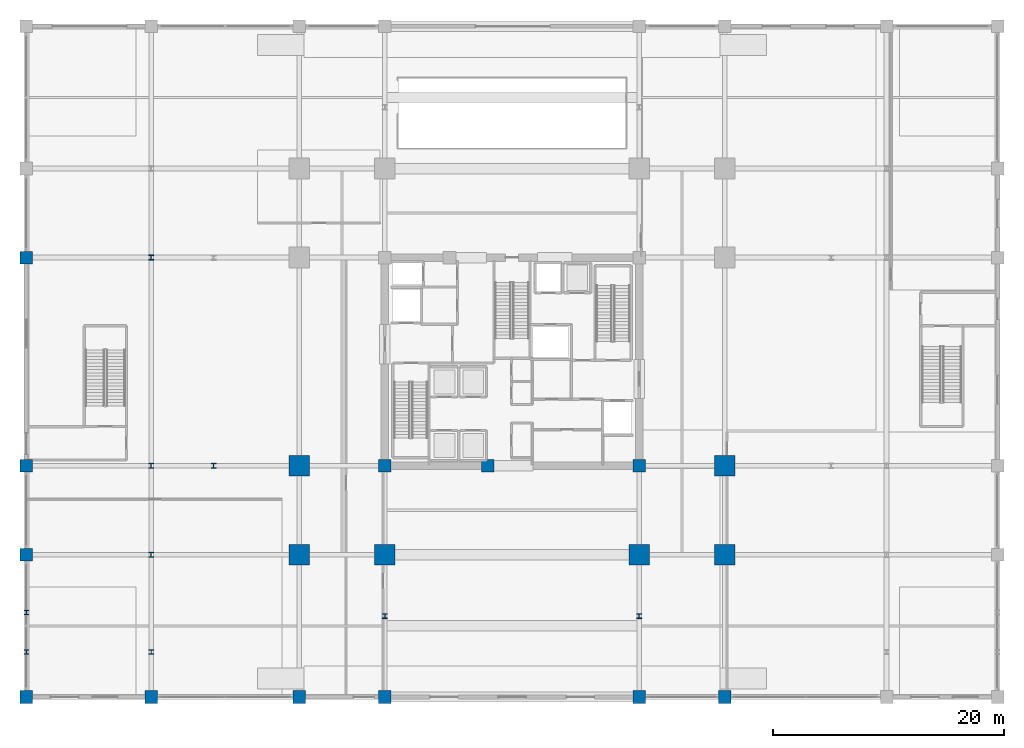
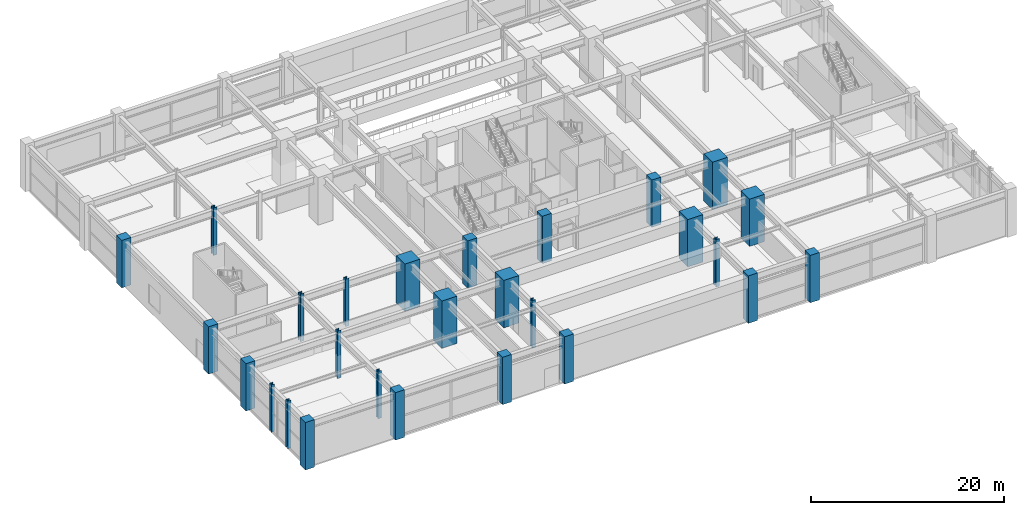
# One storey, part 1 of 41: 27 columns.
"""IFC4 building model written with IfcOpenShell, lengths in metres."""

from ifc_helpers import new_model, si_unit, direction, frame, origin, origin_2d, place, context, subcontext, project, spatial, rectangle, i_section, extrude, material, material_profile, profile_set, type_object, element, save


model = new_model("IFC4")

# Units and contexts
model_context = context("Model", 3, precision=1e-05, world=origin(), true_north=direction((0.0, 1.0)))
body_context = subcontext(model_context, "Body", "Model", "MODEL_VIEW")
ifc_project = project(units=[si_unit("LENGTHUNIT", "METRE"), si_unit("AREAUNIT", "SQUARE_METRE"), si_unit("VOLUMEUNIT", "CUBIC_METRE"), si_unit("PLANEANGLEUNIT", "RADIAN"), si_unit("MASSUNIT", "GRAM", prefix="KILO")], contexts=[model_context])

# Site, building, storey
site_placement = place(None, origin())
site = spatial("IfcSite", under=ifc_project, at=site_placement, CompositionType="ELEMENT")
building_placement = place(site_placement, origin())
building = spatial("IfcBuilding", under=site, at=building_placement, Name="Kovane Verandah Tower", CompositionType="ELEMENT")
storey_placement = place(building_placement, origin())
storey = spatial("IfcBuildingStorey", under=building, at=storey_placement, Name="L00", CompositionType="ELEMENT", Elevation=0.0)

# Columns
ifc_material_1 = material(Name="Concrete C60/75", Category="concrete")
ifc_material_profile_1 = material_profile(ifc_material_1, rectangle(XDim=1.10009765625, YDim=1.10009765625, at=origin_2d()), Name="RC1100x1100")
ifc_profile_set_1 = profile_set([ifc_material_profile_1], Name="Concrete C60/75")
column_type_1 = type_object("IfcColumnType", Name="COL-POD1100", PredefinedType="COLUMN", material=ifc_profile_set_1)
for number, where, z_axis, x_axis, name in (
    (1, (-2.0, -1.5, 0.0), (0.0, 0.0, 1.0), (1.0, 0.0, 0.0), "L00 Podium Column PC-W0"),
    (2, (-2.0, 10.800048828125, 0.0), (0.0, 0.0, 1.0), (1.0, 0.0, 0.0), "L00 Podium Column PC-W1"),
    (3, (-2.0, 18.5, 0.0), (0.0, 0.0, 1.0), (1.0, 0.0, 0.0), "L00 Podium Column PC-W2"),
    (4, (-2.0, 36.5, 0.0), (0.0, 0.0, 1.0), (1.0, 0.0, 0.0), "L00 Podium Column PC-W3"),
    (5, (8.800048828125, -1.5, 0.0), (0.0, 0.0, 1.0), (1.0, 0.0, 0.0), "L00 Podium Column PC-S1"),
    (6, (21.60009765625, -1.5, 0.0), (0.0, 0.0, 1.0), (1.0, 0.0, 0.0), "L00 Podium Column PC-S2"),
    (7, (29.0, -1.5, 0.0), (0.0, 0.0, 1.0), (1.0, 0.0, 0.0), "L00 Podium Column PC-S3"),
    (8, (51.0, -1.5, 0.0), (0.0, 0.0, 1.0), (1.0, 0.0, 0.0), "L00 Podium Column PC-S4"),
    (9, (58.39990234375, -1.5, 0.0), (0.0, 0.0, 1.0), (1.0, 0.0, 0.0), "L00 Podium Column PC-S5"),
):
    element("IfcColumn", number, at=place(storey_placement, frame(where, z_axis=z_axis, x_axis=x_axis)), inside=storey, type_object=column_type_1, Name=name, PredefinedType="COLUMN", context=body_context, shape_type="SweptSolid", body=[
        extrude(rectangle(XDim=1.10009765625, YDim=1.10009765625, at=origin_2d()), origin(), (0.0, 0.0, 1.0), 6.0),
    ])
ifc_material_2 = material(Name="Concrete C80/95", Category="concrete")
ifc_material_profile_2 = material_profile(ifc_material_2, rectangle(XDim=1.800048828125, YDim=1.800048828125, at=origin_2d()), Name="RC1800x1800")
ifc_profile_set_2 = profile_set([ifc_material_profile_2], Name="Concrete C80/95")
column_type_2 = type_object("IfcColumnType", Name="COL-RC1800", PredefinedType="COLUMN", material=ifc_profile_set_2)
for number, where, z_axis, x_axis, name in (
    (10, (29.0, 10.800048828125, 0.0), (0.0, 0.0, 1.0), (1.0, 0.0, 0.0), "L00 Tower Mega-Column MC-S1"),
    (11, (51.0, 10.800048828125, 0.0), (0.0, 0.0, 1.0), (1.0, 0.0, 0.0), "L00 Tower Mega-Column MC-S2"),
    (12, (21.60009765625, 18.5, 0.0), (0.0, 0.0, 1.0), (1.0, 0.0, 0.0), "L00 Tower Mega-Column MC-W1"),
    (13, (58.39990234375, 18.5, 0.0), (0.0, 0.0, 1.0), (1.0, 0.0, 0.0), "L00 Tower Mega-Column MC-E1"),
    (14, (21.60009765625, 10.800048828125, 0.0), (0.0, 0.0, 1.0), (1.0, 0.0, 0.0), "L00 Tower Mega-Column MC-SW"),
    (15, (58.39990234375, 10.800048828125, 0.0), (0.0, 0.0, 1.0), (1.0, 0.0, 0.0), "L00 Tower Mega-Column MC-SE"),
):
    element("IfcColumn", number, at=place(storey_placement, frame(where, z_axis=z_axis, x_axis=x_axis)), inside=storey, type_object=column_type_2, Name=name, PredefinedType="COLUMN", context=body_context, shape_type="SweptSolid", body=[
        extrude(rectangle(XDim=1.800048828125, YDim=1.800048828125, at=origin_2d()), origin(), (0.0, 0.0, 1.0), 6.0),
    ])
ifc_material_3 = material(Name="Steel S460", Category="steel")
ifc_material_profile_3 = material_profile(ifc_material_3, i_section(OverallWidth=0.403076171875, OverallDepth=0.406494140625, WebThickness=0.026611328125, FlangeThickness=0.04296875, FilletRadius=0.01513671875, at=origin_2d()), Name="UC356x406x340")
ifc_profile_set_3 = profile_set([ifc_material_profile_3], Name="Steel S460")
column_type_3 = type_object("IfcColumnType", Name="COL-UC340", PredefinedType="COLUMN", material=ifc_profile_set_3)
for number, where, z_axis, x_axis, name in (
    (16, (-2.0, 2.39990234375, 0.0), (0.0, 0.0, 1.0), (1.0, 0.0, 0.0), "L00 South Terrace Step Column S1-1"),
    (17, (8.800048828125, 2.39990234375, 0.0), (0.0, 0.0, 1.0), (1.0, 0.0, 0.0), "L00 South Terrace Step Column S1-2"),
    (18, (-2.0, 5.800048828125, 0.0), (0.0, 0.0, 1.0), (1.0, 0.0, 0.0), "L00 South Terrace Step Column S2-1"),
):
    element("IfcColumn", number, at=place(storey_placement, frame(where, z_axis=z_axis, x_axis=x_axis)), inside=storey, type_object=column_type_3, Name=name, PredefinedType="COLUMN", context=body_context, shape_type="SweptSolid", body=[
        extrude(i_section(OverallWidth=0.403076171875, OverallDepth=0.406494140625, WebThickness=0.026611328125, FlangeThickness=0.04296875, FilletRadius=0.01513671875, at=origin_2d()), origin(), (0.0, 0.0, 1.0), 6.0),
    ])
ifc_material_profile_4 = material_profile(ifc_material_3, i_section(OverallWidth=0.412109375, OverallDepth=0.4365234375, WebThickness=0.035888671875, FlangeThickness=0.05810546875, FilletRadius=0.01513671875, at=origin_2d()), Name="UC356x406x467")
ifc_profile_set_4 = profile_set([ifc_material_profile_4], Name="Steel S460")
column_type_4 = type_object("IfcColumnType", Name="COL-UC467", PredefinedType="COLUMN", material=ifc_profile_set_4)
for number, where, z_axis, x_axis, name in (
    (19, (14.199951171875, 18.5, 0.0), (0.0, 0.0, 1.0), (1.0, 0.0, 0.0), "L00 Verandah Perimeter Column VC-W1"),
    (20, (29.0, 5.5, 0.0), (0.0, 0.0, 1.0), (1.0, 0.0, 0.0), "L00 Verandah Perimeter Column VC-S1"),
    (21, (51.0, 5.5, 0.0), (0.0, 0.0, 1.0), (1.0, 0.0, 0.0), "L00 Verandah Perimeter Column VC-S2"),
):
    element("IfcColumn", number, at=place(storey_placement, frame(where, z_axis=z_axis, x_axis=x_axis)), inside=storey, type_object=column_type_4, Name=name, PredefinedType="COLUMN", context=body_context, shape_type="SweptSolid", body=[
        extrude(i_section(OverallWidth=0.412109375, OverallDepth=0.4365234375, WebThickness=0.035888671875, FlangeThickness=0.05810546875, FilletRadius=0.01513671875, at=origin_2d()), origin(), (0.0, 0.0, 1.0), 6.0),
    ])
ifc_material_4 = material(Name="Steel S355", Category="steel")
ifc_material_profile_5 = material_profile(ifc_material_4, i_section(OverallWidth=0.41845703125, OverallDepth=0.45556640625, WebThickness=0.0419921875, FlangeThickness=0.0673828125, FilletRadius=0.01513671875, at=origin_2d()), Name="UC356x406x551")
ifc_profile_set_5 = profile_set([ifc_material_profile_5], Name="Steel S355")
column_type_5 = type_object("IfcColumnType", Name="COL-UC551", PredefinedType="COLUMN", material=ifc_profile_set_5)
for number, where, z_axis, x_axis, name in (
    (22, (8.800048828125, 10.800048828125, 0.0), (0.0, 0.0, 1.0), (1.0, 0.0, 0.0), "L00 Podium Column PC-MW1"),
    (23, (8.800048828125, 18.5, 0.0), (0.0, 0.0, 1.0), (1.0, 0.0, 0.0), "L00 Podium Column PC-MW2"),
    (24, (8.800048828125, 36.5, 0.0), (0.0, 0.0, 1.0), (1.0, 0.0, 0.0), "L00 Podium Column PC-MW3"),
):
    element("IfcColumn", number, at=place(storey_placement, frame(where, z_axis=z_axis, x_axis=x_axis)), inside=storey, type_object=column_type_5, Name=name, PredefinedType="COLUMN", context=body_context, shape_type="SweptSolid", body=[
        extrude(i_section(OverallWidth=0.41845703125, OverallDepth=0.45556640625, WebThickness=0.0419921875, FlangeThickness=0.0673828125, FilletRadius=0.01513671875, at=origin_2d()), origin(), (0.0, 0.0, 1.0), 6.0),
    ])
ifc_material_profile_6 = material_profile(ifc_material_2, rectangle(XDim=1.10009765625, YDim=1.10009765625, at=origin_2d()), Name="RC1100x1100")
ifc_profile_set_6 = profile_set([ifc_material_profile_6], Name="Concrete C80/95")
column_type_6 = type_object("IfcColumnType", Name="PIL-RC1100", PredefinedType="PILASTER", material=ifc_profile_set_6)
for number, where, z_axis, x_axis, name in (
    (25, (29.0, 18.5, 0.0), (0.0, 0.0, 1.0), (1.0, 0.0, 0.0), "L00 Core Pilaster CP-SW"),
    (26, (51.0, 18.5, 0.0), (0.0, 0.0, 1.0), (1.0, 0.0, 0.0), "L00 Core Pilaster CP-SE"),
    (27, (37.89990234375, 18.5, 0.0), (0.0, 0.0, 1.0), (1.0, 0.0, 0.0), "L00 Core Pilaster CP-S"),
):
    element("IfcColumn", number, at=place(storey_placement, frame(where, z_axis=z_axis, x_axis=x_axis)), inside=storey, type_object=column_type_6, Name=name, PredefinedType="PILASTER", context=body_context, shape_type="SweptSolid", body=[
        extrude(rectangle(XDim=1.10009765625, YDim=1.10009765625, at=origin_2d()), origin(), (0.0, 0.0, 1.0), 6.0),
    ])

save(model, "model.ifc")
